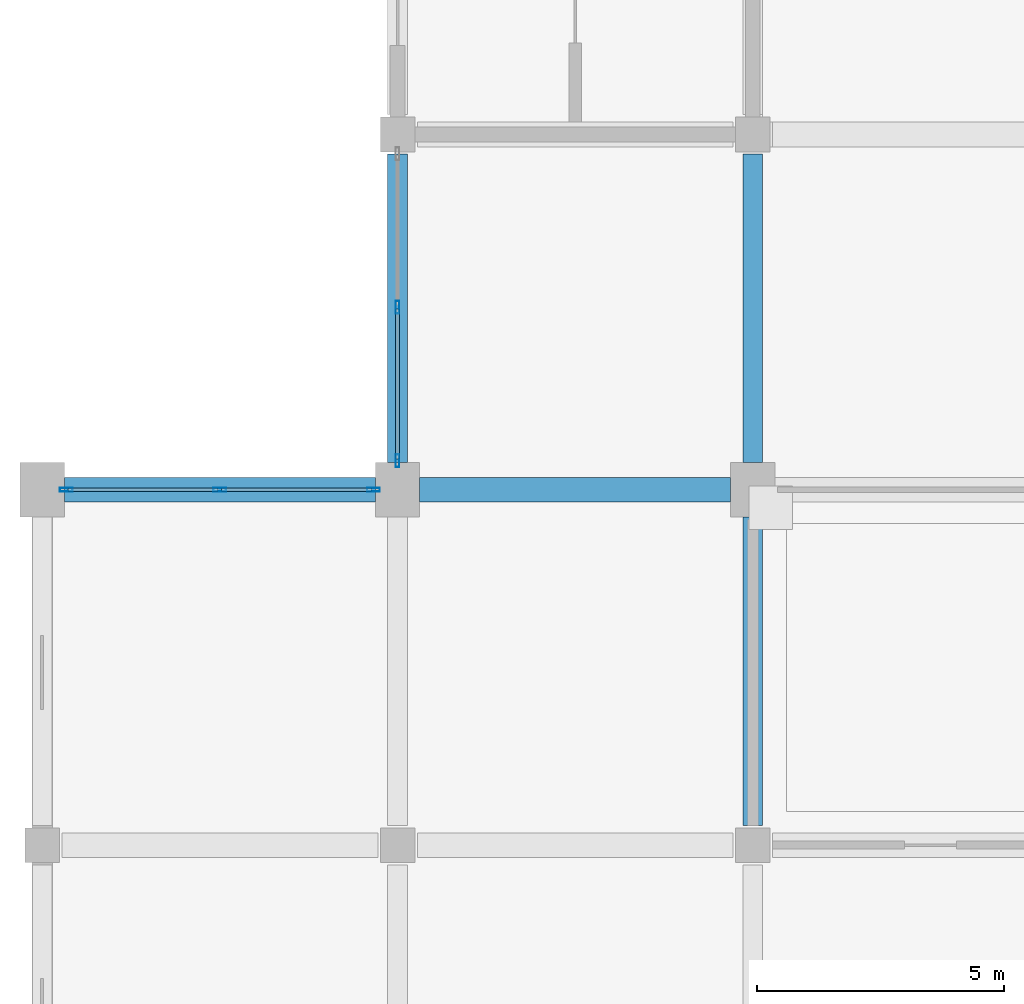
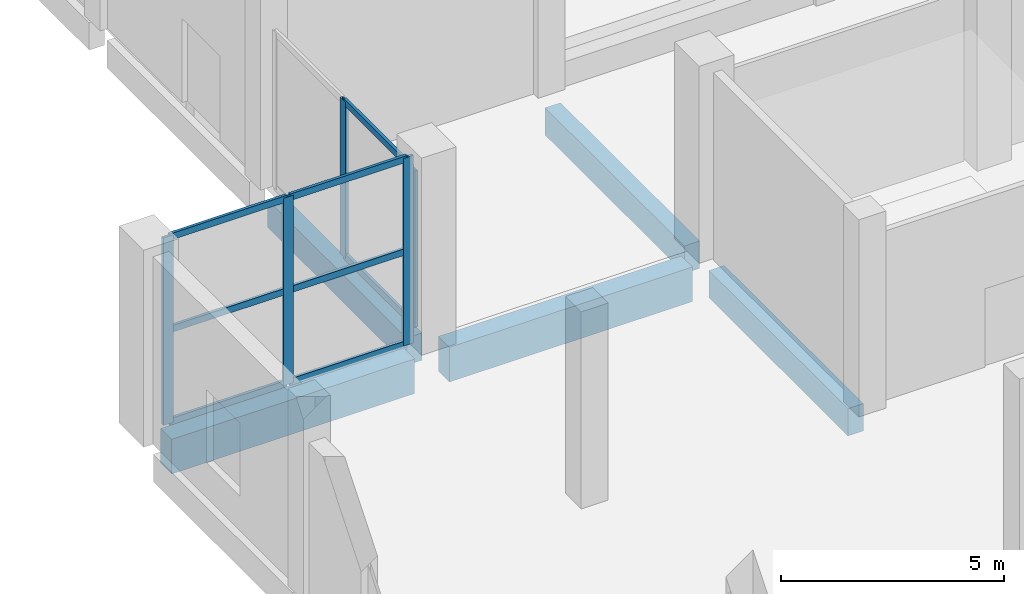
# One storey, part 18 of 70: 13 members, 5 beams, 2 elements without a shape of their own.
"""IFC4 building model written with IfcOpenShell, lengths in metres."""

import ifcopenshell
import ifcopenshell.guid

model = None  # the IFC model being written
_history = None  # IfcOwnerHistory: only IFC2X3 demands one
_inside = {}  # id of a spatial element -> (the spatial element, [elements in it])
_under = {}  # id of a project, library or spatial element -> (it, [spatial elements below it])
_declared = {}  # id of a project -> (the project, [libraries it declares])
_typed = {}  # id of a type object -> (the type object, [elements of that type])
_made_of = {}  # id of a material, layer set ... -> (it, [elements and type objects made of it])


def new_model(schema):
    """Start an empty IFC model of exactly this schema.

    Asked for "IFC4X3", IfcOpenShell would pick the latest addendum, in which some entities
    have other attributes; the version numbers below select the first issue.
    IFC2X3 requires an IfcOwnerHistory on every rooted entity: one is made here for all.
    """
    global model, _history
    if schema == "IFC4X3":
        model = ifcopenshell.file(schema_version=(4, 3, 0, 0))
    else:
        model = ifcopenshell.file(schema=schema)
    _inside.clear()
    _under.clear()
    _declared.clear()
    _typed.clear()
    _made_of.clear()
    _history = None
    if model.schema == "IFC2X3":
        org = make("IfcOrganization", Name="unknown")
        user = make(
            "IfcPersonAndOrganization",
            ThePerson=make("IfcPerson", FamilyName="unknown"),
            TheOrganization=org,
        )
        app = make(
            "IfcApplication",
            ApplicationDeveloper=org,
            Version="unknown",
            ApplicationFullName="unknown",
            ApplicationIdentifier="unknown",
        )
        _history = make(
            "IfcOwnerHistory",
            OwningUser=user,
            OwningApplication=app,
            ChangeAction="ADDED",
            CreationDate=0,
        )
    return model


def make(cls, **values):
    """One entity of the class cls with the attributes given. An attribute that is None is left unset."""
    return model.create_entity(
        cls, **{name: value for name, value in values.items() if value is not None}
    )


def rooted(cls, **values):
    """An entity with a GlobalId (a new one), such as an element, a storey or a relation."""
    return make(cls, GlobalId=ifcopenshell.guid.new(), OwnerHistory=_history, **values)


def si_unit(unit_type, name, prefix=None):
    """IfcSIUnit, for example si_unit("LENGTHUNIT", "METRE", prefix="MILLI")."""
    return make("IfcSIUnit", UnitType=unit_type, Prefix=prefix, Name=name)


def assignment(units):
    """IfcUnitAssignment: the units of a project."""
    return None if units is None else make("IfcUnitAssignment", Units=units)


def point(xyz):
    """IfcCartesianPoint."""
    return None if xyz is None else make("IfcCartesianPoint", Coordinates=xyz)


def direction(xyz):
    """IfcDirection."""
    return None if xyz is None else make("IfcDirection", DirectionRatios=xyz)


def frame(location, z_axis=None, x_axis=None):
    """IfcAxis2Placement3D, a coordinate frame: its origin and axes. An axis left out is left unset."""
    return make(
        "IfcAxis2Placement3D",
        Location=point(location),
        Axis=direction(z_axis),
        RefDirection=direction(x_axis),
    )


def frame_2d(location, x_axis=None):
    """IfcAxis2Placement2D, a coordinate frame in the plane: its origin and x axis."""
    return make(
        "IfcAxis2Placement2D", Location=point(location), RefDirection=direction(x_axis)
    )


def origin():
    """The frame at (0, 0, 0) with its axes left unset."""
    return frame((0.0, 0.0, 0.0))


def origin_2d():
    """The frame at (0, 0) in the plane with its x axis left unset."""
    return frame_2d((0.0, 0.0))


def place(relative_to, where):
    """IfcLocalPlacement: puts the frame where relative to a parent placement (None: the world)."""
    return make(
        "IfcLocalPlacement", PlacementRelTo=relative_to, RelativePlacement=where
    )


def context(
    kind, dimensions, precision=None, world=None, true_north=None, identifier=None
):
    """IfcGeometricRepresentationContext, for example the 3D "Model" context."""
    return make(
        "IfcGeometricRepresentationContext",
        ContextIdentifier=identifier,
        ContextType=kind,
        CoordinateSpaceDimension=dimensions,
        Precision=precision,
        WorldCoordinateSystem=world,
        TrueNorth=true_north,
    )


def subcontext(parent, identifier, kind, view, scale=None):
    """IfcGeometricRepresentationSubContext, for example "Body" below "Model"."""
    return make(
        "IfcGeometricRepresentationSubContext",
        ContextIdentifier=identifier,
        ContextType=kind,
        ParentContext=parent,
        TargetScale=scale,
        TargetView=view,
    )


def project(units=None, contexts=None):
    """IfcProject with its units and contexts."""
    return rooted(
        "IfcProject",
        Name="project",
        RepresentationContexts=contexts,
        UnitsInContext=assignment(units),
    )


def spatial(cls, under=None, at=None, **own):
    """A site, building, storey or space (cls), placed at a placement, below another one or the project."""
    s = rooted(cls, ObjectPlacement=at, **own)
    if under is not None:
        _under.setdefault(under.id(), (under, []))[1].append(s)
    return s


def profile(cls, at=None, kind="AREA", **sizes):
    """A parametric profile (cls). Its sizes go by their IFC names, for example OverallWidth=200.0."""
    return make(cls, ProfileType=kind, Position=at, **sizes)


def rectangle(**sizes):
    """IfcRectangleProfileDef."""
    return profile("IfcRectangleProfileDef", **sizes)


def hollow_rectangle(**sizes):
    """IfcRectangleHollowProfileDef."""
    return profile("IfcRectangleHollowProfileDef", **sizes)


def extrude(swept, where, along, depth):
    """IfcExtrudedAreaSolid: the profile swept, set in the frame where, extruded along a direction by depth."""
    return make(
        "IfcExtrudedAreaSolid",
        SweptArea=swept,
        Position=where,
        ExtrudedDirection=direction(along),
        Depth=depth,
    )


def shape(context_of_items, identifier, shape_type, items):
    """IfcShapeRepresentation: the items that make up one representation, for example the "Body"."""
    return make(
        "IfcShapeRepresentation",
        ContextOfItems=context_of_items,
        RepresentationIdentifier=identifier,
        RepresentationType=shape_type,
        Items=items,
    )


def material(Name=None, Category=None):
    """IfcMaterial."""
    return make("IfcMaterial", Name=Name, Category=Category)


def material_profile(
    of_material, cross_section, Name=None, Category=None, Priority=None
):
    """IfcMaterialProfile: a cross section and its material."""
    return make(
        "IfcMaterialProfile",
        Name=Name,
        Material=of_material,
        Profile=cross_section,
        Priority=Priority,
        Category=Category,
    )


def profile_set(profiles, Name=None, composite=None):
    """IfcMaterialProfileSet."""
    return make(
        "IfcMaterialProfileSet",
        Name=Name,
        MaterialProfiles=profiles,
        CompositeProfile=composite,
    )


def made_of(thing, what):
    """Note that an element or type object is made of a material, layer set ...; save() writes the relation."""
    if what is not None:
        _made_of.setdefault(what.id(), (what, []))[1].append(thing)
    return thing


def type_object(cls, material=None, **own):
    """A type object (cls), such as IfcWallType, which elements share."""
    return made_of(rooted(cls, **own), material)


def element(
    cls,
    number,
    at=None,
    inside=None,
    cuts=None,
    type_object=None,
    material=None,
    context=None,
    identifier="Body",
    shape_type=None,
    held_by="IfcProductDefinitionShape",
    body=None,
    shapes=None,
    **own,
):
    """One element of the class cls, such as IfcWall. Its Tag is "e" and its number.

    at: its placement. inside: the storey or other place that contains it. cuts: it is an
    opening in that element (IfcRelVoidsElement). A single representation is given by context,
    identifier, shape_type and body (its items); several are given by shapes. held_by: the class
    of the entity that holds the representations. save() writes the other relations.
    """
    e = rooted(cls, Tag="e%d" % number, ObjectPlacement=at, **own)
    if body is not None:
        shapes = [shape(context, identifier, shape_type, body)]
    if shapes is not None:
        e.Representation = make(held_by, Representations=shapes)
    if inside is not None:
        _inside.setdefault(inside.id(), (inside, []))[1].append(e)
    if cuts is not None:
        rooted(
            "IfcRelVoidsElement", RelatingBuildingElement=cuts, RelatedOpeningElement=e
        )
    if type_object is not None:
        _typed.setdefault(type_object.id(), (type_object, []))[1].append(e)
    return made_of(e, material)


def aggregate(whole, parts):
    """IfcRelAggregates: a whole, such as a stair, and the parts it consists of."""
    return rooted("IfcRelAggregates", RelatingObject=whole, RelatedObjects=parts)


def save(model, path):
    """Write the relations noted so far, then the file.

    IfcRelAggregates (storeys below a building ...), IfcRelContainedInSpatialStructure (elements
    in a storey), IfcRelDefinesByType, IfcRelAssociatesMaterial and IfcRelDeclares: one each for
    every whole, place, type object, material and project.
    """
    for whole, parts in _under.values():
        aggregate(whole, parts)
    for where, things in _inside.values():
        rooted(
            "IfcRelContainedInSpatialStructure",
            RelatedElements=things,
            RelatingStructure=where,
        )
    for kind, things in _typed.values():
        rooted("IfcRelDefinesByType", RelatedObjects=things, RelatingType=kind)
    for what, things in _made_of.values():
        rooted("IfcRelAssociatesMaterial", RelatedObjects=things, RelatingMaterial=what)
    for by, libraries in _declared.values():
        rooted("IfcRelDeclares", RelatingContext=by, RelatedDefinitions=libraries)
    model.write(path)


model = new_model("IFC4")

# Units and contexts
model_context = context("Model", 3, precision=1e-05, world=origin(), true_north=direction((0.0, 1.0)))
body_context = subcontext(model_context, "Body", "Model", "MODEL_VIEW")
ifc_project = project(units=[si_unit("LENGTHUNIT", "METRE"), si_unit("AREAUNIT", "SQUARE_METRE"), si_unit("VOLUMEUNIT", "CUBIC_METRE"), si_unit("PLANEANGLEUNIT", "RADIAN"), si_unit("MASSUNIT", "GRAM", prefix="KILO")], contexts=[model_context])

# Site, building, storey
site_placement = place(None, origin())
site = spatial("IfcSite", under=ifc_project, at=site_placement, CompositionType="ELEMENT")
building_placement = place(site_placement, origin())
building = spatial("IfcBuilding", under=site, at=building_placement, Name="Vesperath Aquatics Centre", CompositionType="ELEMENT")
storey_placement = place(building_placement, origin())
storey = spatial("IfcBuildingStorey", under=building, at=storey_placement, Name="L00", CompositionType="ELEMENT", Elevation=0.0)

# Beams
ifc_material_1 = material(Name="Concrete C40", Category="concrete")
ifc_material_profile_1 = material_profile(ifc_material_1, rectangle(XDim=0.5, YDim=0.949951171875, at=origin_2d()), Name="RC 500x950")
ifc_profile_set_1 = profile_set([ifc_material_profile_1], Name="Concrete C40")
beam_type_1 = type_object("IfcBeamType", Name="BM-G02", PredefinedType="BEAM", material=ifc_profile_set_1)
for number, where, z_axis, x_axis, name in (
    (1, (0.449951171875, 86.39990234375, -0.7548828125), (1.0, 0.0, 0.0), (0.0, 1.0, 0.0), "Floor Girder B02 L00 N 1-2"),
    (2, (7.64990234375, 86.39990234375, -0.7548828125), (1.0, 0.0, 0.0), (0.0, 1.0, 0.0), "Floor Girder B02 L00 N 2-3"),
):
    element("IfcBeam", number, at=place(storey_placement, frame(where, z_axis=z_axis, x_axis=x_axis)), inside=storey, type_object=beam_type_1, Name=name, PredefinedType="BEAM", context=body_context, shape_type="SweptSolid", body=[
        extrude(rectangle(XDim=0.5, YDim=0.949951171875, at=origin_2d()), origin(), (0.0, 0.0, 1.0), 6.300048828125),
    ])
ifc_material_2 = material(Name="Concrete C35", Category="concrete")
ifc_material_profile_2 = material_profile(ifc_material_2, rectangle(XDim=0.39990234375, YDim=0.75, at=origin_2d()), Name="RC 400x750")
ifc_profile_set_2 = profile_set([ifc_material_profile_2], Name="Concrete C35")
beam_type_2 = type_object("IfcBeamType", Name="BM-G04", PredefinedType="BEAM", material=ifc_profile_set_2)
for number, where, z_axis, x_axis, name in (
    (3, (7.199951171875, 86.949951171875, -0.655029296875), (0.0, 1.0, 0.0), (-1.0, 0.0, 0.0), "Floor Girder B04 L00 2 N-P"),
    (4, (14.39990234375, 79.60009765625, -0.655029296875), (0.0, 1.0, 0.0), (-1.0, 0.0, 0.0), "Floor Girder B04 L00 3 M-N"),
    (5, (14.39990234375, 86.949951171875, -0.655029296875), (0.0, 1.0, 0.0), (-1.0, 0.0, 0.0), "Floor Girder B04 L00 3 N-P"),
):
    element("IfcBeam", number, at=place(storey_placement, frame(where, z_axis=z_axis, x_axis=x_axis)), inside=storey, type_object=beam_type_2, Name=name, PredefinedType="BEAM", context=body_context, shape_type="SweptSolid", body=[
        extrude(rectangle(XDim=0.39990234375, YDim=0.75, at=origin_2d()), origin(), (0.0, 0.0, 1.0), 6.25),
    ])

# Curtain wall, members
ifc_material_3 = material(Name="Thermally broken anodised bronze aluminium curtain wall", Category="aluminium")
curtain_wall_type = type_object("IfcCurtainWallType", Name="CW-01", PredefinedType="NOTDEFINED", material=ifc_material_3)
curtain_wall_1_placement = place(storey_placement, origin())
curtain_wall_1 = element("IfcCurtainWall", 6, at=curtain_wall_1_placement, inside=storey, type_object=curtain_wall_type, Name="Facade Curtain Wall CW01 L00_N_00_12", PredefinedType="NOTDEFINED")
ifc_material_4 = material(Name="Thermally broken anodised aluminium", Category="aluminium")
ifc_material_profile_3 = material_profile(ifc_material_4, hollow_rectangle(XDim=0.074951171875, YDim=0.260009765625, WallThickness=0.006103515625, at=origin_2d()), Name="CWM 75x260x6")
ifc_profile_set_3 = profile_set([ifc_material_profile_3], Name="Thermally broken anodised aluminium")
member_type_1 = type_object("IfcMemberType", Name="MB-CWM1", PredefinedType="MULLION", material=ifc_profile_set_3)
member_1_placement = place(storey_placement, frame((0.487548828125, 86.39990234375, 0.0), z_axis=(0.0, 0.0, 1.0), x_axis=(0.0, 1.0, 0.0)))
member_1 = element("IfcMember", 7, at=member_1_placement, type_object=member_type_1, Name="CW01 mullion 1", PredefinedType="MULLION", context=body_context, shape_type="SweptSolid", body=[
    extrude(hollow_rectangle(XDim=0.074951171875, YDim=0.260009765625, WallThickness=0.006103515625, at=origin_2d()), origin(), (0.0, 0.0, 1.0), 5.139892578125),
])
member_2_placement = place(storey_placement, frame((3.60009765625, 86.39990234375, 0.0), z_axis=(0.0, 0.0, 1.0), x_axis=(0.0, 1.0, 0.0)))
member_2 = element("IfcMember", 8, at=member_2_placement, type_object=member_type_1, Name="CW01 mullion 2", PredefinedType="MULLION", context=body_context, shape_type="SweptSolid", body=[
    extrude(hollow_rectangle(XDim=0.074951171875, YDim=0.260009765625, WallThickness=0.006103515625, at=origin_2d()), origin(), (0.0, 0.0, 1.0), 5.139892578125),
])
member_3_placement = place(storey_placement, frame((6.71240234375, 86.39990234375, 0.0), z_axis=(0.0, 0.0, 1.0), x_axis=(0.0, 1.0, 0.0)))
member_3 = element("IfcMember", 9, at=member_3_placement, type_object=member_type_1, Name="CW01 mullion 3", PredefinedType="MULLION", context=body_context, shape_type="SweptSolid", body=[
    extrude(hollow_rectangle(XDim=0.074951171875, YDim=0.260009765625, WallThickness=0.006103515625, at=origin_2d()), origin(), (0.0, 0.0, 1.0), 5.139892578125),
])

curtain_wall_2_placement = place(storey_placement, origin())
curtain_wall_2 = element("IfcCurtainWall", 10, at=curtain_wall_2_placement, inside=storey, type_object=curtain_wall_type, Name="Facade Curtain Wall CW01 L00_W_01_12", PredefinedType="NOTDEFINED")
member_4_placement = place(storey_placement, frame((7.199951171875, 86.987548828125, 0.0), z_axis=(0.0, 0.0, 1.0), x_axis=(-1.0, 0.0, 0.0)))
member_4 = element("IfcMember", 11, at=member_4_placement, type_object=member_type_1, Name="CW01 mullion 1", PredefinedType="MULLION", context=body_context, shape_type="SweptSolid", body=[
    extrude(hollow_rectangle(XDim=0.074951171875, YDim=0.260009765625, WallThickness=0.006103515625, at=origin_2d()), origin(), (0.0, 0.0, 1.0), 4.2900390625),
])
member_5_placement = place(storey_placement, frame((7.199951171875, 90.10009765625, 0.0), z_axis=(0.0, 0.0, 1.0), x_axis=(-1.0, 0.0, 0.0)))
member_5 = element("IfcMember", 12, at=member_5_placement, type_object=member_type_1, Name="CW01 mullion 2", PredefinedType="MULLION", context=body_context, shape_type="SweptSolid", body=[
    extrude(hollow_rectangle(XDim=0.074951171875, YDim=0.260009765625, WallThickness=0.006103515625, at=origin_2d()), origin(), (0.0, 0.0, 1.0), 4.2900390625),
])

# Member
ifc_material_profile_4 = material_profile(ifc_material_4, hollow_rectangle(XDim=0.074951171875, YDim=0.179931640625, WallThickness=0.0048828125, at=origin_2d()), Name="CWT 75x180x5")
ifc_profile_set_4 = profile_set([ifc_material_profile_4], Name="Thermally broken anodised aluminium")
member_type_2 = type_object("IfcMemberType", Name="MB-CWT1", PredefinedType="USERDEFINED", material=ifc_profile_set_4)
member_6_placement = place(storey_placement, frame((0.52490234375, 86.39990234375, 0.03759765625), z_axis=(1.0, 0.0, 0.0), x_axis=(0.0, 1.0, 0.0)))
member_6 = element("IfcMember", 13, at=member_6_placement, type_object=member_type_2, Name="CW01 transom 1.1", ObjectType="TRANSOM", PredefinedType="USERDEFINED", context=body_context, shape_type="SweptSolid", body=[
    extrude(hollow_rectangle(XDim=0.074951171875, YDim=0.179931640625, WallThickness=0.0048828125, at=origin_2d()), origin(), (0.0, 0.0, 1.0), 3.03759765625),
])

member_7_placement = place(storey_placement, frame((0.52490234375, 86.39990234375, 2.570068359375), z_axis=(1.0, 0.0, 0.0), x_axis=(0.0, 1.0, 0.0)))
member_7 = element("IfcMember", 14, at=member_7_placement, type_object=member_type_2, Name="CW01 transom 1.2", ObjectType="TRANSOM", PredefinedType="USERDEFINED", context=body_context, shape_type="SweptSolid", body=[
    extrude(hollow_rectangle(XDim=0.074951171875, YDim=0.179931640625, WallThickness=0.0048828125, at=origin_2d()), origin(), (0.0, 0.0, 1.0), 3.03759765625),
])

member_8_placement = place(storey_placement, frame((0.52490234375, 86.39990234375, 5.1025390625), z_axis=(1.0, 0.0, 0.0), x_axis=(0.0, 1.0, 0.0)))
member_8 = element("IfcMember", 15, at=member_8_placement, type_object=member_type_2, Name="CW01 transom 1.3", ObjectType="TRANSOM", PredefinedType="USERDEFINED", context=body_context, shape_type="SweptSolid", body=[
    extrude(hollow_rectangle(XDim=0.074951171875, YDim=0.179931640625, WallThickness=0.0048828125, at=origin_2d()), origin(), (0.0, 0.0, 1.0), 3.03759765625),
])

member_9_placement = place(storey_placement, frame((3.637451171875, 86.39990234375, 0.03759765625), z_axis=(1.0, 0.0, 0.0), x_axis=(0.0, 1.0, 0.0)))
member_9 = element("IfcMember", 16, at=member_9_placement, type_object=member_type_2, Name="CW01 transom 2.1", ObjectType="TRANSOM", PredefinedType="USERDEFINED", context=body_context, shape_type="SweptSolid", body=[
    extrude(hollow_rectangle(XDim=0.074951171875, YDim=0.179931640625, WallThickness=0.0048828125, at=origin_2d()), origin(), (0.0, 0.0, 1.0), 3.03759765625),
])

member_10_placement = place(storey_placement, frame((3.637451171875, 86.39990234375, 2.570068359375), z_axis=(1.0, 0.0, 0.0), x_axis=(0.0, 1.0, 0.0)))
member_10 = element("IfcMember", 17, at=member_10_placement, type_object=member_type_2, Name="CW01 transom 2.2", ObjectType="TRANSOM", PredefinedType="USERDEFINED", context=body_context, shape_type="SweptSolid", body=[
    extrude(hollow_rectangle(XDim=0.074951171875, YDim=0.179931640625, WallThickness=0.0048828125, at=origin_2d()), origin(), (0.0, 0.0, 1.0), 3.03759765625),
])

member_11_placement = place(storey_placement, frame((3.637451171875, 86.39990234375, 5.1025390625), z_axis=(1.0, 0.0, 0.0), x_axis=(0.0, 1.0, 0.0)))
member_11 = element("IfcMember", 18, at=member_11_placement, type_object=member_type_2, Name="CW01 transom 2.3", ObjectType="TRANSOM", PredefinedType="USERDEFINED", context=body_context, shape_type="SweptSolid", body=[
    extrude(hollow_rectangle(XDim=0.074951171875, YDim=0.179931640625, WallThickness=0.0048828125, at=origin_2d()), origin(), (0.0, 0.0, 1.0), 3.03759765625),
])

aggregate(curtain_wall_1, [member_1, member_2, member_3, member_6, member_7, member_8, member_9, member_10, member_11])

member_12_placement = place(storey_placement, frame((7.199951171875, 87.02490234375, 0.03759765625), z_axis=(0.0, 1.0, 0.0), x_axis=(-1.0, 0.0, 0.0)))
member_12 = element("IfcMember", 19, at=member_12_placement, type_object=member_type_2, Name="CW01 transom 1.1", ObjectType="TRANSOM", PredefinedType="USERDEFINED", context=body_context, shape_type="SweptSolid", body=[
    extrude(hollow_rectangle(XDim=0.074951171875, YDim=0.179931640625, WallThickness=0.0048828125, at=origin_2d()), origin(), (0.0, 0.0, 1.0), 3.03759765625),
])

member_13_placement = place(storey_placement, frame((7.199951171875, 87.02490234375, 4.25244140625), z_axis=(0.0, 1.0, 0.0), x_axis=(-1.0, 0.0, 0.0)))
member_13 = element("IfcMember", 20, at=member_13_placement, type_object=member_type_2, Name="CW01 transom 1.2", ObjectType="TRANSOM", PredefinedType="USERDEFINED", context=body_context, shape_type="SweptSolid", body=[
    extrude(hollow_rectangle(XDim=0.074951171875, YDim=0.179931640625, WallThickness=0.0048828125, at=origin_2d()), origin(), (0.0, 0.0, 1.0), 3.03759765625),
])

aggregate(curtain_wall_2, [member_4, member_5, member_12, member_13])

save(model, "model.ifc")
